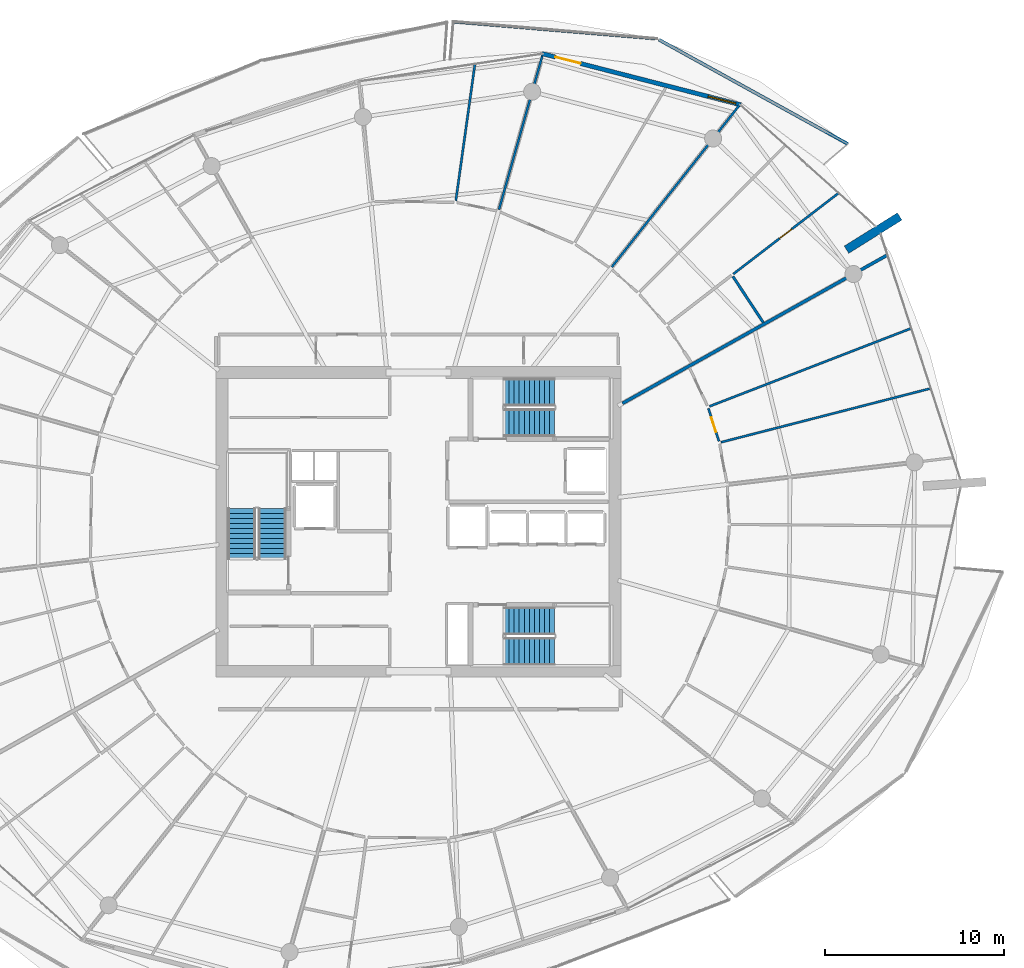
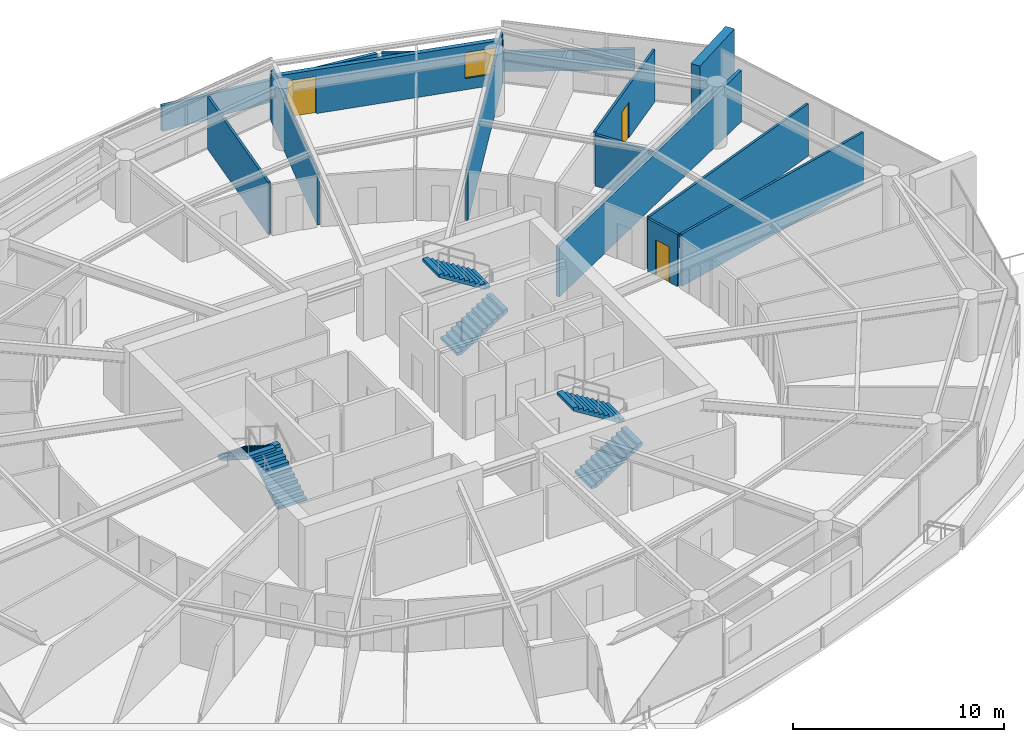
# One storey, part 23 of 30: 13 walls, 6 stair flights, 3 doors, 1 window, 4 openings, 3 elements without a shape of their own.
"""IFC4 building model written with IfcOpenShell, lengths in metres."""

from ifc_helpers import new_model, si_unit, direction, frame, frame_2d, origin, place, context, subcontext, project, spatial, polyline, rectangle, outline, extrude, material, layer, layer_set, type_object, element, fill, aggregate, save


model = new_model("IFC4")

# Units and contexts
model_context = context("Model", 3, precision=1e-05, world=origin(), true_north=direction((0.0, 1.0)))
body_context = subcontext(model_context, "Body", "Model", "MODEL_VIEW")
ifc_project = project(units=[si_unit("LENGTHUNIT", "METRE"), si_unit("AREAUNIT", "SQUARE_METRE"), si_unit("VOLUMEUNIT", "CUBIC_METRE"), si_unit("PLANEANGLEUNIT", "RADIAN"), si_unit("MASSUNIT", "GRAM", prefix="KILO")], contexts=[model_context])

# Site, building, storey
site_placement = place(None, origin())
site = spatial("IfcSite", under=ifc_project, at=site_placement, CompositionType="ELEMENT")
building_placement = place(site_placement, origin())
building = spatial("IfcBuilding", under=site, at=building_placement, Name="Kazma Halo Residences", CompositionType="ELEMENT")
storey_placement = place(building_placement, frame((0.0, 0.0, 244.39990234375)))
storey = spatial("IfcBuildingStorey", under=building, at=storey_placement, Name="L61", CompositionType="ELEMENT", Elevation=244.39990234375)

# Walls
ifc_material_1 = material(Name="White Concrete C50/60 Balustrade", Category="concrete")
ifc_layer_1 = layer(ifc_material_1, 0.179931640625)
ifc_layer_set_1 = layer_set([ifc_layer_1], Name="White Concrete C50/60 Balustrade")
wall_type_1 = type_object("IfcWallType", Name="WL-BAL-WAVE-180", PredefinedType="PARAPET", material=ifc_layer_set_1)
wall_1_placement = place(storey_placement, frame((72.361083984375, 63.065185546875, 0.0), z_axis=(0.0, 0.0, 1.0), x_axis=(-0.875454216257, 0.483301060663, 0.0)))
element("IfcWall", 1, at=wall_1_placement, inside=storey, type_object=wall_type_1, Name="L61 white wave balustrade wall NE.1", PredefinedType="PARAPET", context=body_context, shape_type="SweptSolid", body=[
    extrude(outline(polyline([(0.0, 0.0), (12.029296875, 0.0), (12.029296875, 1.148193359375), (6.0146484375, 1.127197265625), (0.0, 1.22412109375), (0.0, 0.0)])), frame((0.0, 0.08984375, 0.0), z_axis=(0.0, -1.0, 0.0), x_axis=(1.0, 0.0, 0.0)), (0.0, 0.0, 1.0), 0.179931640625),
])
wall_2_placement = place(storey_placement, frame((61.60546875, 68.94677734375, 0.0), z_axis=(0.0, 0.0, 1.0), x_axis=(-0.99651583667, 0.083403760507, 0.0)))
element("IfcWall", 2, at=wall_2_placement, inside=storey, type_object=wall_type_1, Name="L61 white wave balustrade wall NE.2", PredefinedType="PARAPET", context=body_context, shape_type="SweptSolid", body=[
    extrude(outline(polyline([(0.0, 0.0), (11.278564453125, 0.0), (11.2783203125, 1.483154296875), (5.63916015625, 1.2841796875), (0.0, 1.148193359375), (0.0, 0.0)])), frame((0.0, 0.08984375, 0.0), z_axis=(0.0, -1.0, 0.0), x_axis=(1.0, 0.0, 0.0)), (0.0, 0.0, 1.0), 0.179931640625),
])
ifc_material_2 = material(Name="Pale Concrete C60/75", Category="concrete")
ifc_layer_2 = layer(ifc_material_2, 0.47998046875)
ifc_layer_set_2 = layer_set([ifc_layer_2], Name="Pale Concrete C60/75")
wall_type_2 = type_object("IfcWallType", Name="WL-BLADE-480", PredefinedType="SOLIDWALL", material=ifc_layer_set_2)
wall_3_placement = place(storey_placement, frame((72.281494140625, 57.172607421875, 0.0), z_axis=(0.0, 0.0, 1.0), x_axis=(0.848033572426, 0.529942506352, 0.0)))
element("IfcWall", 3, at=wall_3_placement, inside=storey, type_object=wall_type_2, Name="L61 pale concrete structural blade fin wall BW-01", PredefinedType="SOLIDWALL", context=body_context, shape_type="SweptSolid", body=[
    extrude(rectangle(XDim=3.5, YDim=0.47998046875, at=frame_2d((1.75, 0.0))), origin(), (0.0, 0.0, 1.0), 3.85009765625),
])
ifc_material_3 = material(Name="Acoustic Twin-Stud Gypsum")
ifc_layer_3 = layer(ifc_material_3, 0.179931640625)
ifc_layer_set_3 = layer_set([ifc_layer_3], Name="Acoustic Twin-Stud Gypsum")
wall_type_3 = type_object("IfcWallType", Name="WL-DEM-180", PredefinedType="PARTITIONING", material=ifc_layer_set_3)
wall_4_placement = place(storey_placement, frame((59.7958984375, 48.60595703125, 0.0), z_axis=(0.0, 0.0, 1.0), x_axis=(0.872493213488, 0.488626229767, 0.0)))
element("IfcWall", 4, at=wall_4_placement, inside=storey, type_object=wall_type_3, Name="L61 apartment demising radial wall 00", PredefinedType="PARTITIONING", context=body_context, shape_type="SweptSolid", body=[
    extrude(rectangle(XDim=16.91015625, YDim=0.179931640625, at=frame_2d((8.455078125, 0.0))), origin(), (0.0, 0.0, 1.0), 2.95703125),
])

# Wall, openings, door, window
ifc_material_4 = material(Name="Insulated Pale-Metal Composite Wall")
ifc_layer_4 = layer(ifc_material_4, 0.239990234375)
ifc_layer_set_4 = layer_set([ifc_layer_4], Name="Insulated Pale-Metal Composite Wall")
wall_type_4 = type_object("IfcWallType", Name="WL-EXT-HOST-240", PredefinedType="SOLIDWALL", material=ifc_layer_set_4)
wall_5_placement = place(storey_placement, frame((66.386474609375, 65.2490234375, 0.0), z_axis=(0.0, 0.0, 1.0), x_axis=(-0.968343758421, 0.249620442927, 0.0)))
wall_5 = element("IfcWall", 5, at=wall_5_placement, inside=storey, type_object=wall_type_4, Name="L61 exterior terrace-access wall B02", PredefinedType="SOLIDWALL", context=body_context, shape_type="SweptSolid", body=[
    extrude(rectangle(XDim=11.438232421875, YDim=0.239990234375, at=frame_2d((5.71923828125, 0.0))), origin(), (0.0, 0.0, 1.0), 2.5400390625),
])
opening_1_placement = place(wall_5_placement, frame((9.21826171875, 0.0, 0.0)))
opening_1 = element("IfcOpeningElement", 6, at=opening_1_placement, cuts=wall_5, Name="Opening DTR-1600", PredefinedType="OPENING", context=body_context, shape_type="SweptSolid", body=[
    extrude(rectangle(XDim=1.449951171875, YDim=2.14990234375, at=frame_2d((0.72509765625, 1.074951171875))), frame((0.0, 0.1298828125, 0.0), z_axis=(0.0, -1.0, 0.0), x_axis=(1.0, 0.0, 0.0)), (0.0, 0.0, 1.0), 0.260009765625),
])
opening_2_placement = place(wall_5_placement, frame((0.280029296875, 0.0, 0.64990234375)))
opening_2 = element("IfcOpeningElement", 7, at=opening_2_placement, cuts=wall_5, Name="Opening W-1800", PredefinedType="OPENING", context=body_context, shape_type="SweptSolid", body=[
    extrude(rectangle(XDim=1.60009765625, YDim=1.5, at=frame_2d((0.800048828125, 0.75))), frame((0.0, 0.1298828125, 0.0), z_axis=(0.0, -1.0, 0.0), x_axis=(1.0, 0.0, 0.0)), (0.0, 0.0, 1.0), 0.260009765625),
])
ifc_material_5 = material(Name="Aluminium AW-6063 T6 Double-Glazed Terrace Door", Category="aluminium")
door_type_1 = type_object("IfcDoorType", Name="DR-EXT-TERR-1600", OperationType="NOTDEFINED", PredefinedType="DOOR", material=ifc_material_5)
door_1_placement = place(opening_1_placement, origin())
door_1 = element("IfcDoor", 8, at=door_1_placement, inside=storey, type_object=door_type_1, Name="L61 B02 balcony terrace door", OperationType="DOUBLE_DOOR_SLIDING", OverallHeight=2.14990234375, OverallWidth=1.449951171875, PredefinedType="DOOR", context=body_context, shape_type="SweptSolid", body=[
    extrude(rectangle(XDim=1.449951171875, YDim=2.14990234375, at=frame_2d((0.72509765625, 1.074951171875))), frame((0.0, 0.02490234375, 0.0), z_axis=(0.0, -1.0, 0.0), x_axis=(1.0, 0.0, 0.0)), (0.0, 0.0, 1.0), 0.050048828125),
])
fill(opening_1, door_1)
ifc_material_6 = material(Name="Clear Triple-Silver Low-E Glass in Aluminium AW-6063 T6 Frame", Category="aluminium")
window_type = type_object("IfcWindowType", Name="WIN-RES-1800", PartitioningType="DOUBLE_PANEL_VERTICAL", PredefinedType="WINDOW", material=ifc_material_6)
window_placement = place(opening_2_placement, origin())
window = element("IfcWindow", 9, at=window_placement, inside=storey, type_object=window_type, Name="L61 B02 apartment window", OverallHeight=1.5, OverallWidth=1.60009765625, PartitioningType="SINGLE_PANEL", PredefinedType="WINDOW", context=body_context, shape_type="SweptSolid", body=[
    extrude(rectangle(XDim=1.60009765625, YDim=1.5, at=frame_2d((0.800048828125, 0.75))), frame((0.0, 0.030029296875, 0.0), z_axis=(0.0, -1.0, 0.0), x_axis=(1.0, 0.0, 0.0)), (0.0, 0.0, 1.0), 0.06005859375),
])
fill(opening_2, window)

# Wall, opening, door
ifc_material_7 = material(Name="Gypsum Plasterboard Partition")
ifc_layer_5 = layer(ifc_material_7, 0.125)
ifc_layer_set_5 = layer_set([ifc_layer_5], Name="Gypsum Plasterboard Partition")
wall_type_5 = type_object("IfcWallType", Name="WL-PART-125", PredefinedType="PARTITIONING", material=ifc_layer_set_5)
wall_6_placement = place(storey_placement, frame((65.97021484375, 55.815185546875, 0.0), z_axis=(0.0, 0.0, 1.0), x_axis=(0.792798660545, 0.609483620647, 0.0)))
wall_6 = element("IfcWall", 10, at=wall_6_placement, inside=storey, type_object=wall_type_5, Name="L61 Apartment 1 Utility Laundry Room partition wall", PredefinedType="PARTITIONING", context=body_context, shape_type="SweptSolid", body=[
    extrude(rectangle(XDim=7.376953125, YDim=0.125, at=frame_2d((3.6884765625, 0.0))), origin(), (0.0, 0.0, 1.0), 3.030029296875),
])
opening_3_placement = place(wall_6_placement, frame((3.263427734375, 0.0, 0.0)))
opening_3 = element("IfcOpeningElement", 11, at=opening_3_placement, cuts=wall_6, Name="Opening DB-900", PredefinedType="OPENING", context=body_context, shape_type="SweptSolid", body=[
    extrude(rectangle(XDim=0.85009765625, YDim=2.06005859375, at=frame_2d((0.425048828125, 1.030029296875))), frame((0.0, 0.072509765625, 0.0), z_axis=(0.0, -1.0, 0.0), x_axis=(1.0, 0.0, 0.0)), (0.0, 0.0, 1.0), 0.14501953125),
])
ifc_material_8 = material(Name="Moisture-Sealed Timber Leaf", Category="wood")
door_type_2 = type_object("IfcDoorType", Name="DR-BTH-900", OperationType="NOTDEFINED", PredefinedType="DOOR", material=ifc_material_8)
door_2_placement = place(opening_3_placement, origin())
door_2 = element("IfcDoor", 12, at=door_2_placement, inside=storey, type_object=door_type_2, Name="L61 Apartment 1 Utility Laundry Room door", OperationType="SINGLE_SWING_LEFT", OverallHeight=2.06005859375, OverallWidth=0.85009765625, PredefinedType="DOOR", context=body_context, shape_type="SweptSolid", body=[
    extrude(rectangle(XDim=0.85009765625, YDim=2.06005859375, at=frame_2d((0.425048828125, 1.030029296875))), frame((0.0, 0.02490234375, 0.0), z_axis=(0.0, -1.0, 0.0), x_axis=(1.0, 0.0, 0.0)), (0.0, 0.0, 1.0), 0.050048828125),
])
fill(opening_3, door_2)

# Walls
wall_7_placement = place(storey_placement, frame((59.197509765625, 56.2041015625, 0.0), z_axis=(0.0, 0.0, 1.0), x_axis=(0.619101452742, 0.785311015593, 0.0)))
element("IfcWall", 13, at=wall_7_placement, inside=storey, type_object=wall_type_5, Name="L61 Apartment 1 radial partition 1", PredefinedType="PARTITIONING", context=body_context, shape_type="SweptSolid", body=[
    extrude(rectangle(XDim=11.508544921875, YDim=0.125, at=frame_2d((5.75439453125, 0.0))), origin(), (0.0, 0.0, 1.0), 2.95703125),
])
wall_8_placement = place(storey_placement, frame((52.909423828125, 59.407958984375, 0.0), z_axis=(0.0, 0.0, 1.0), x_axis=(0.271454299549, 0.962451330331, 0.0)))
element("IfcWall", 14, at=wall_8_placement, inside=storey, type_object=wall_type_5, Name="L61 Apartment 1 radial partition 2", PredefinedType="PARTITIONING", context=body_context, shape_type="SweptSolid", body=[
    extrude(rectangle(XDim=8.8974609375, YDim=0.125, at=frame_2d((4.44873046875, 0.0))), origin(), (0.0, 0.0, 1.0), 2.95703125),
])
wall_9_placement = place(storey_placement, frame((50.5048828125, 59.902587890625, 0.0), z_axis=(0.0, 0.0, 1.0), x_axis=(0.138550424847, 0.990355380545, 0.0)))
element("IfcWall", 15, at=wall_9_placement, inside=storey, type_object=wall_type_5, Name="L61 Apartment 1 mid-bay wall 2", PredefinedType="PARTITIONING", context=body_context, shape_type="SweptSolid", body=[
    extrude(rectangle(XDim=7.668701171875, YDim=0.125, at=frame_2d((3.83447265625, 0.0))), origin(), (0.0, 0.0, 1.0), 3.030029296875),
])
wall_10_placement = place(storey_placement, frame((65.286376953125, 46.4384765625, 0.0), z_axis=(0.0, 0.0, 1.0), x_axis=(0.968583991447, 0.248686653265, 0.0)))
element("IfcWall", 16, at=wall_10_placement, inside=storey, type_object=wall_type_5, Name="L61 Apartment 2 bay wall 1 15", PredefinedType="PARTITIONING", context=body_context, shape_type="SweptSolid", body=[
    extrude(rectangle(XDim=12.056396484375, YDim=0.125, at=frame_2d((6.0283203125, 0.0))), origin(), (0.0, 0.0, 1.0), 3.030029296875),
])
wall_11_placement = place(storey_placement, frame((64.644775390625, 48.439453125, 0.0), z_axis=(0.0, 0.0, 1.0), x_axis=(0.93263897003, 0.360810963778, 0.0)))
element("IfcWall", 17, at=wall_11_placement, inside=storey, type_object=wall_type_5, Name="L61 Apartment 2 bay wall 2 15", PredefinedType="PARTITIONING", context=body_context, shape_type="SweptSolid", body=[
    extrude(rectangle(XDim=12.04296875, YDim=0.125, at=frame_2d((6.021484375, 0.0))), origin(), (0.0, 0.0, 1.0), 3.030029296875),
])

# Wall, opening, door
wall_12_placement = place(storey_placement, frame((65.1748046875, 46.4921875, 0.0), z_axis=(0.0, 0.0, 1.0), x_axis=(-0.305358332679, 0.952237516938, 0.0)))
wall_12 = element("IfcWall", 18, at=wall_12_placement, inside=storey, type_object=wall_type_5, Name="L61 Apartment 2 West Dressing Wardrobe hall wall", PredefinedType="PARTITIONING", context=body_context, shape_type="SweptSolid", body=[
    extrude(rectangle(XDim=1.930908203125, YDim=0.125, at=frame_2d((0.96533203125, 0.0))), origin(), (0.0, 0.0, 1.0), 3.030029296875),
])
opening_4_placement = place(wall_12_placement, frame((0.540283203125, 0.0, 0.0)))
opening_4 = element("IfcOpeningElement", 19, at=opening_4_placement, cuts=wall_12, Name="Opening DB-900", PredefinedType="OPENING", context=body_context, shape_type="SweptSolid", body=[
    extrude(rectangle(XDim=0.85009765625, YDim=2.06005859375, at=frame_2d((0.425048828125, 1.030029296875))), frame((0.0, 0.072509765625, 0.0), z_axis=(0.0, -1.0, 0.0), x_axis=(1.0, 0.0, 0.0)), (0.0, 0.0, 1.0), 0.14501953125),
])
door_3_placement = place(opening_4_placement, origin())
door_3 = element("IfcDoor", 20, at=door_3_placement, inside=storey, type_object=door_type_2, Name="L61 Apartment 2 West Dressing Wardrobe door", OperationType="SINGLE_SWING_LEFT", OverallHeight=2.06005859375, OverallWidth=0.85009765625, PredefinedType="DOOR", context=body_context, shape_type="SweptSolid", body=[
    extrude(rectangle(XDim=0.85009765625, YDim=2.06005859375, at=frame_2d((0.425048828125, 1.030029296875))), frame((0.0, 0.02490234375, 0.0), z_axis=(0.0, -1.0, 0.0), x_axis=(1.0, 0.0, 0.0)), (0.0, 0.0, 1.0), 0.050048828125),
])
fill(opening_4, door_3)

# Wall
ifc_material_9 = material(Name="Moisture-Resistant Gypsum")
ifc_layer_6 = layer(ifc_material_9, 0.14990234375)
ifc_layer_set_6 = layer_set([ifc_layer_6], Name="Moisture-Resistant Gypsum")
wall_type_6 = type_object("IfcWallType", Name="WL-WET-150", PredefinedType="PARTITIONING", material=ifc_layer_set_6)
wall_13_placement = place(storey_placement, frame((67.643310546875, 53.114990234375, 0.0), z_axis=(0.0, 0.0, 1.0), x_axis=(-0.550484224605, 0.834845565635, 0.0)))
element("IfcWall", 21, at=wall_13_placement, inside=storey, type_object=wall_type_6, Name="L61 Apartment 1 Guest Bathroom back wall", PredefinedType="PARTITIONING", context=body_context, shape_type="SweptSolid", body=[
    extrude(rectangle(XDim=3.078857421875, YDim=0.14990234375, at=frame_2d((1.53955078125, 0.0))), origin(), (0.0, 0.0, 1.0), 2.95703125),
])

# Stair, stair flights
ifc_material_10 = material(Name="Concrete C50/60", Category="concrete")
stair_type = type_object("IfcStairType", Name="STR-RES2", PredefinedType="HALF_TURN_STAIR", material=ifc_material_10)
stair_1_placement = place(storey_placement, origin())
stair_1 = element("IfcStair", 22, at=stair_1_placement, inside=storey, type_object=stair_type, Name="L61 Core exit stair ST-01", PredefinedType="HALF_TURN_STAIR")
stair_flight_type = type_object("IfcStairFlightType", Name="STR-RES2-FLT", PredefinedType="STRAIGHT", material=ifc_material_10)
stair_flight_1_placement = place(storey_placement, frame((40.27490234375, 39.949951171875, 0.0), z_axis=(0.0, 0.0, 1.0), x_axis=(0.0, 1.0, 0.0)))
stair_flight_1 = element("IfcStairFlight", 23, at=stair_flight_1_placement, type_object=stair_flight_type, Name="ST-01 flight 1", NumberOfRisers=11, NumberOfTreads=10, PredefinedType="STRAIGHT", RiserHeight=0.175, TreadLength=0.28, context=body_context, shape_type="SweptSolid", body=[
    extrude(outline(polyline([(0.0, 0.0), (0.0, 0.175048828125), (0.280029296875, 0.175048828125), (0.280029296875, 0.35009765625), (0.56005859375, 0.35009765625), (0.56005859375, 0.52490234375), (0.840087890625, 0.52490234375), (0.840087890625, 0.699951171875), (1.1201171875, 0.699951171875), (1.1201171875, 0.875), (1.39990234375, 0.875), (1.39990234375, 1.050048828125), (1.679931640625, 1.050048828125), (1.679931640625, 1.22509765625), (1.9599609375, 1.22509765625), (1.9599609375, 1.39990234375), (2.239990234375, 1.39990234375), (2.239990234375, 1.574951171875), (2.52001953125, 1.574951171875), (2.52001953125, 1.75), (2.800048828125, 1.75), (2.800048828125, 1.925048828125), (2.800048828125, 1.5732421875), (0.28271484375, 0.0), (0.0, 0.0)])), frame((0.0, 0.77490234375, 0.0), z_axis=(0.0, -1.0, 0.0), x_axis=(1.0, 0.0, 0.0)), (0.0, 0.0, 1.0), 1.550048828125),
])
stair_flight_2_placement = place(storey_placement, frame((38.574951171875, 42.75, 1.925048828125), z_axis=(0.0, 0.0, 1.0), x_axis=(0.0, -1.0, 0.0)))
stair_flight_2 = element("IfcStairFlight", 24, at=stair_flight_2_placement, type_object=stair_flight_type, Name="ST-01 flight 2", NumberOfRisers=11, NumberOfTreads=10, PredefinedType="STRAIGHT", RiserHeight=0.175, TreadLength=0.28, context=body_context, shape_type="SweptSolid", body=[
    extrude(outline(polyline([(0.0, 0.0), (0.0, 0.175048828125), (0.280029296875, 0.175048828125), (0.280029296875, 0.35009765625), (0.56005859375, 0.35009765625), (0.56005859375, 0.52490234375), (0.840087890625, 0.52490234375), (0.840087890625, 0.699951171875), (1.1201171875, 0.699951171875), (1.1201171875, 0.875), (1.39990234375, 0.875), (1.39990234375, 1.050048828125), (1.679931640625, 1.050048828125), (1.679931640625, 1.22509765625), (1.9599609375, 1.22509765625), (1.9599609375, 1.39990234375), (2.239990234375, 1.39990234375), (2.239990234375, 1.574951171875), (2.52001953125, 1.574951171875), (2.52001953125, 1.75), (2.800048828125, 1.75), (2.800048828125, 1.925048828125), (2.800048828125, 1.5732421875), (0.28271484375, 0.0), (0.0, 0.0)])), frame((0.0, 0.77490234375, 0.0), z_axis=(0.0, -1.0, 0.0), x_axis=(1.0, 0.0, 0.0)), (0.0, 0.0, 1.0), 1.550048828125),
])
aggregate(stair_1, [stair_flight_1, stair_flight_2])

stair_2_placement = place(storey_placement, origin())
stair_2 = element("IfcStair", 25, at=stair_2_placement, inside=storey, type_object=stair_type, Name="L61 Core exit stair ST-02", PredefinedType="HALF_TURN_STAIR")
stair_flight_3_placement = place(storey_placement, frame((53.199951171875, 47.52490234375, 0.0), z_axis=(0.0, 0.0, 1.0), x_axis=(1.0, 0.0, 0.0)))
stair_flight_3 = element("IfcStairFlight", 26, at=stair_flight_3_placement, type_object=stair_flight_type, Name="ST-02 flight 1", NumberOfRisers=11, NumberOfTreads=10, PredefinedType="STRAIGHT", RiserHeight=0.175, TreadLength=0.28, context=body_context, shape_type="SweptSolid", body=[
    extrude(outline(polyline([(0.0, 0.0), (0.0, 0.175048828125), (0.280029296875, 0.175048828125), (0.280029296875, 0.35009765625), (0.56005859375, 0.35009765625), (0.56005859375, 0.52490234375), (0.840087890625, 0.52490234375), (0.840087890625, 0.699951171875), (1.1201171875, 0.699951171875), (1.1201171875, 0.875), (1.39990234375, 0.875), (1.39990234375, 1.050048828125), (1.679931640625, 1.050048828125), (1.679931640625, 1.22509765625), (1.9599609375, 1.22509765625), (1.9599609375, 1.39990234375), (2.239990234375, 1.39990234375), (2.239990234375, 1.574951171875), (2.52001953125, 1.574951171875), (2.52001953125, 1.75), (2.800048828125, 1.75), (2.800048828125, 1.925048828125), (2.800048828125, 1.5732421875), (0.28271484375, 0.0), (0.0, 0.0)])), frame((0.0, 0.77490234375, 0.0), z_axis=(0.0, -1.0, 0.0), x_axis=(1.0, 0.0, 0.0)), (0.0, 0.0, 1.0), 1.550048828125),
])
stair_flight_4_placement = place(storey_placement, frame((56.0, 49.22509765625, 1.925048828125), z_axis=(0.0, 0.0, 1.0), x_axis=(-1.0, 0.0, 0.0)))
stair_flight_4 = element("IfcStairFlight", 27, at=stair_flight_4_placement, type_object=stair_flight_type, Name="ST-02 flight 2", NumberOfRisers=11, NumberOfTreads=10, PredefinedType="STRAIGHT", RiserHeight=0.175, TreadLength=0.28, context=body_context, shape_type="SweptSolid", body=[
    extrude(outline(polyline([(0.0, 0.0), (0.0, 0.175048828125), (0.280029296875, 0.175048828125), (0.280029296875, 0.35009765625), (0.56005859375, 0.35009765625), (0.56005859375, 0.52490234375), (0.840087890625, 0.52490234375), (0.840087890625, 0.699951171875), (1.1201171875, 0.699951171875), (1.1201171875, 0.875), (1.39990234375, 0.875), (1.39990234375, 1.050048828125), (1.679931640625, 1.050048828125), (1.679931640625, 1.22509765625), (1.9599609375, 1.22509765625), (1.9599609375, 1.39990234375), (2.239990234375, 1.39990234375), (2.239990234375, 1.574951171875), (2.52001953125, 1.574951171875), (2.52001953125, 1.75), (2.800048828125, 1.75), (2.800048828125, 1.925048828125), (2.800048828125, 1.5732421875), (0.28271484375, 0.0), (0.0, 0.0)])), frame((0.0, 0.77490234375, 0.0), z_axis=(0.0, -1.0, 0.0), x_axis=(1.0, 0.0, 0.0)), (0.0, 0.0, 1.0), 1.550048828125),
])
aggregate(stair_2, [stair_flight_3, stair_flight_4])

stair_3_placement = place(storey_placement, origin())
stair_3 = element("IfcStair", 28, at=stair_3_placement, inside=storey, type_object=stair_type, Name="L61 Core exit stair ST-03", PredefinedType="HALF_TURN_STAIR")
stair_flight_5_placement = place(storey_placement, frame((53.199951171875, 34.77490234375, 0.0), z_axis=(0.0, 0.0, 1.0), x_axis=(1.0, 0.0, 0.0)))
stair_flight_5 = element("IfcStairFlight", 29, at=stair_flight_5_placement, type_object=stair_flight_type, Name="ST-03 flight 1", NumberOfRisers=11, NumberOfTreads=10, PredefinedType="STRAIGHT", RiserHeight=0.175, TreadLength=0.28, context=body_context, shape_type="SweptSolid", body=[
    extrude(outline(polyline([(0.0, 0.0), (0.0, 0.175048828125), (0.280029296875, 0.175048828125), (0.280029296875, 0.35009765625), (0.56005859375, 0.35009765625), (0.56005859375, 0.52490234375), (0.840087890625, 0.52490234375), (0.840087890625, 0.699951171875), (1.1201171875, 0.699951171875), (1.1201171875, 0.875), (1.39990234375, 0.875), (1.39990234375, 1.050048828125), (1.679931640625, 1.050048828125), (1.679931640625, 1.22509765625), (1.9599609375, 1.22509765625), (1.9599609375, 1.39990234375), (2.239990234375, 1.39990234375), (2.239990234375, 1.574951171875), (2.52001953125, 1.574951171875), (2.52001953125, 1.75), (2.800048828125, 1.75), (2.800048828125, 1.925048828125), (2.800048828125, 1.5732421875), (0.28271484375, 0.0), (0.0, 0.0)])), frame((0.0, 0.77490234375, 0.0), z_axis=(0.0, -1.0, 0.0), x_axis=(1.0, 0.0, 0.0)), (0.0, 0.0, 1.0), 1.550048828125),
])
stair_flight_6_placement = place(storey_placement, frame((56.0, 36.47509765625, 1.925048828125), z_axis=(0.0, 0.0, 1.0), x_axis=(-1.0, 0.0, 0.0)))
stair_flight_6 = element("IfcStairFlight", 30, at=stair_flight_6_placement, type_object=stair_flight_type, Name="ST-03 flight 2", NumberOfRisers=11, NumberOfTreads=10, PredefinedType="STRAIGHT", RiserHeight=0.175, TreadLength=0.28, context=body_context, shape_type="SweptSolid", body=[
    extrude(outline(polyline([(0.0, 0.0), (0.0, 0.175048828125), (0.280029296875, 0.175048828125), (0.280029296875, 0.35009765625), (0.56005859375, 0.35009765625), (0.56005859375, 0.52490234375), (0.840087890625, 0.52490234375), (0.840087890625, 0.699951171875), (1.1201171875, 0.699951171875), (1.1201171875, 0.875), (1.39990234375, 0.875), (1.39990234375, 1.050048828125), (1.679931640625, 1.050048828125), (1.679931640625, 1.22509765625), (1.9599609375, 1.22509765625), (1.9599609375, 1.39990234375), (2.239990234375, 1.39990234375), (2.239990234375, 1.574951171875), (2.52001953125, 1.574951171875), (2.52001953125, 1.75), (2.800048828125, 1.75), (2.800048828125, 1.925048828125), (2.800048828125, 1.5732421875), (0.28271484375, 0.0), (0.0, 0.0)])), frame((0.0, 0.77490234375, 0.0), z_axis=(0.0, -1.0, 0.0), x_axis=(1.0, 0.0, 0.0)), (0.0, 0.0, 1.0), 1.550048828125),
])
aggregate(stair_3, [stair_flight_5, stair_flight_6])

save(model, "model.ifc")
